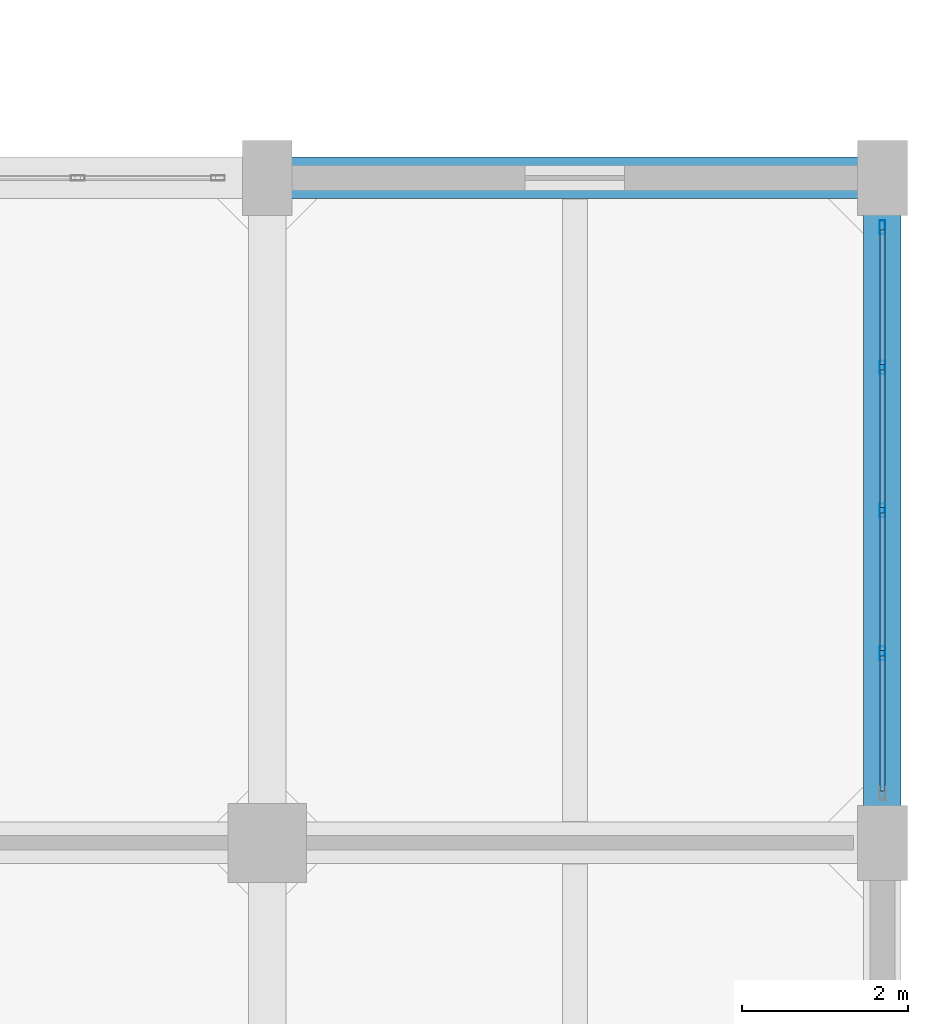
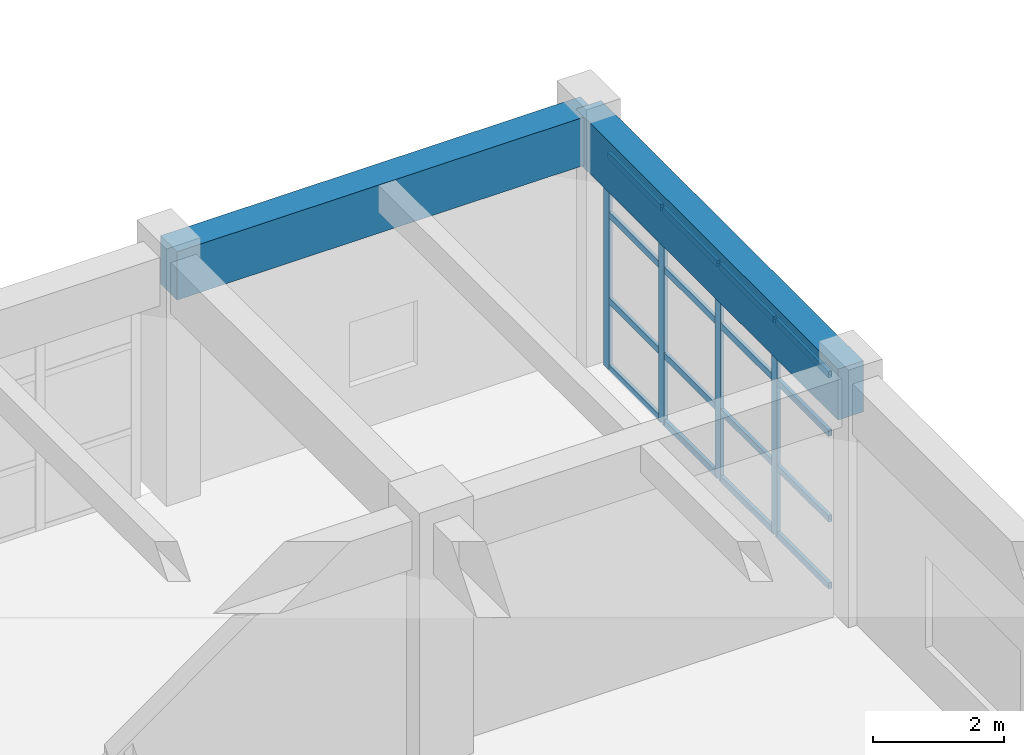
# One storey, part 197 of 248: 20 members, 2 beams, 1 element without a shape of its own.
"""IFC4 building model written with IfcOpenShell, lengths in metres."""

import ifcopenshell
import ifcopenshell.guid

model = None  # the IFC model being written
_history = None  # IfcOwnerHistory: only IFC2X3 demands one
_inside = {}  # id of a spatial element -> (the spatial element, [elements in it])
_under = {}  # id of a project, library or spatial element -> (it, [spatial elements below it])
_declared = {}  # id of a project -> (the project, [libraries it declares])
_typed = {}  # id of a type object -> (the type object, [elements of that type])
_made_of = {}  # id of a material, layer set ... -> (it, [elements and type objects made of it])


def new_model(schema):
    """Start an empty IFC model of exactly this schema.

    Asked for "IFC4X3", IfcOpenShell would pick the latest addendum, in which some entities
    have other attributes; the version numbers below select the first issue.
    IFC2X3 requires an IfcOwnerHistory on every rooted entity: one is made here for all.
    """
    global model, _history
    if schema == "IFC4X3":
        model = ifcopenshell.file(schema_version=(4, 3, 0, 0))
    else:
        model = ifcopenshell.file(schema=schema)
    _inside.clear()
    _under.clear()
    _declared.clear()
    _typed.clear()
    _made_of.clear()
    _history = None
    if model.schema == "IFC2X3":
        org = make("IfcOrganization", Name="unknown")
        user = make(
            "IfcPersonAndOrganization",
            ThePerson=make("IfcPerson", FamilyName="unknown"),
            TheOrganization=org,
        )
        app = make(
            "IfcApplication",
            ApplicationDeveloper=org,
            Version="unknown",
            ApplicationFullName="unknown",
            ApplicationIdentifier="unknown",
        )
        _history = make(
            "IfcOwnerHistory",
            OwningUser=user,
            OwningApplication=app,
            ChangeAction="ADDED",
            CreationDate=0,
        )
    return model


def make(cls, **values):
    """One entity of the class cls with the attributes given. An attribute that is None is left unset."""
    return model.create_entity(
        cls, **{name: value for name, value in values.items() if value is not None}
    )


def rooted(cls, **values):
    """An entity with a GlobalId (a new one), such as an element, a storey or a relation."""
    return make(cls, GlobalId=ifcopenshell.guid.new(), OwnerHistory=_history, **values)


def si_unit(unit_type, name, prefix=None):
    """IfcSIUnit, for example si_unit("LENGTHUNIT", "METRE", prefix="MILLI")."""
    return make("IfcSIUnit", UnitType=unit_type, Prefix=prefix, Name=name)


def assignment(units):
    """IfcUnitAssignment: the units of a project."""
    return None if units is None else make("IfcUnitAssignment", Units=units)


def point(xyz):
    """IfcCartesianPoint."""
    return None if xyz is None else make("IfcCartesianPoint", Coordinates=xyz)


def direction(xyz):
    """IfcDirection."""
    return None if xyz is None else make("IfcDirection", DirectionRatios=xyz)


def frame(location, z_axis=None, x_axis=None):
    """IfcAxis2Placement3D, a coordinate frame: its origin and axes. An axis left out is left unset."""
    return make(
        "IfcAxis2Placement3D",
        Location=point(location),
        Axis=direction(z_axis),
        RefDirection=direction(x_axis),
    )


def frame_2d(location, x_axis=None):
    """IfcAxis2Placement2D, a coordinate frame in the plane: its origin and x axis."""
    return make(
        "IfcAxis2Placement2D", Location=point(location), RefDirection=direction(x_axis)
    )


def origin():
    """The frame at (0, 0, 0) with its axes left unset."""
    return frame((0.0, 0.0, 0.0))


def origin_2d():
    """The frame at (0, 0) in the plane with its x axis left unset."""
    return frame_2d((0.0, 0.0))


def place(relative_to, where):
    """IfcLocalPlacement: puts the frame where relative to a parent placement (None: the world)."""
    return make(
        "IfcLocalPlacement", PlacementRelTo=relative_to, RelativePlacement=where
    )


def context(
    kind, dimensions, precision=None, world=None, true_north=None, identifier=None
):
    """IfcGeometricRepresentationContext, for example the 3D "Model" context."""
    return make(
        "IfcGeometricRepresentationContext",
        ContextIdentifier=identifier,
        ContextType=kind,
        CoordinateSpaceDimension=dimensions,
        Precision=precision,
        WorldCoordinateSystem=world,
        TrueNorth=true_north,
    )


def subcontext(parent, identifier, kind, view, scale=None):
    """IfcGeometricRepresentationSubContext, for example "Body" below "Model"."""
    return make(
        "IfcGeometricRepresentationSubContext",
        ContextIdentifier=identifier,
        ContextType=kind,
        ParentContext=parent,
        TargetScale=scale,
        TargetView=view,
    )


def project(units=None, contexts=None):
    """IfcProject with its units and contexts."""
    return rooted(
        "IfcProject",
        Name="project",
        RepresentationContexts=contexts,
        UnitsInContext=assignment(units),
    )


def spatial(cls, under=None, at=None, **own):
    """A site, building, storey or space (cls), placed at a placement, below another one or the project."""
    s = rooted(cls, ObjectPlacement=at, **own)
    if under is not None:
        _under.setdefault(under.id(), (under, []))[1].append(s)
    return s


def profile(cls, at=None, kind="AREA", **sizes):
    """A parametric profile (cls). Its sizes go by their IFC names, for example OverallWidth=200.0."""
    return make(cls, ProfileType=kind, Position=at, **sizes)


def rectangle(**sizes):
    """IfcRectangleProfileDef."""
    return profile("IfcRectangleProfileDef", **sizes)


def hollow_rectangle(**sizes):
    """IfcRectangleHollowProfileDef."""
    return profile("IfcRectangleHollowProfileDef", **sizes)


def extrude(swept, where, along, depth):
    """IfcExtrudedAreaSolid: the profile swept, set in the frame where, extruded along a direction by depth."""
    return make(
        "IfcExtrudedAreaSolid",
        SweptArea=swept,
        Position=where,
        ExtrudedDirection=direction(along),
        Depth=depth,
    )


def shape(context_of_items, identifier, shape_type, items):
    """IfcShapeRepresentation: the items that make up one representation, for example the "Body"."""
    return make(
        "IfcShapeRepresentation",
        ContextOfItems=context_of_items,
        RepresentationIdentifier=identifier,
        RepresentationType=shape_type,
        Items=items,
    )


def material(Name=None, Category=None):
    """IfcMaterial."""
    return make("IfcMaterial", Name=Name, Category=Category)


def layer(
    of_material, thickness, ventilated=None, Name=None, Category=None, Priority=None
):
    """IfcMaterialLayer: one layer of a wall or slab, of a material (None: an air gap)."""
    return make(
        "IfcMaterialLayer",
        Material=of_material,
        LayerThickness=thickness,
        IsVentilated=ventilated,
        Name=Name,
        Category=Category,
        Priority=Priority,
    )


def layer_set(layers, Name=None):
    """IfcMaterialLayerSet."""
    return make("IfcMaterialLayerSet", MaterialLayers=layers, LayerSetName=Name)


def material_profile(
    of_material, cross_section, Name=None, Category=None, Priority=None
):
    """IfcMaterialProfile: a cross section and its material."""
    return make(
        "IfcMaterialProfile",
        Name=Name,
        Material=of_material,
        Profile=cross_section,
        Priority=Priority,
        Category=Category,
    )


def profile_set(profiles, Name=None, composite=None):
    """IfcMaterialProfileSet."""
    return make(
        "IfcMaterialProfileSet",
        Name=Name,
        MaterialProfiles=profiles,
        CompositeProfile=composite,
    )


def made_of(thing, what):
    """Note that an element or type object is made of a material, layer set ...; save() writes the relation."""
    if what is not None:
        _made_of.setdefault(what.id(), (what, []))[1].append(thing)
    return thing


def type_object(cls, material=None, **own):
    """A type object (cls), such as IfcWallType, which elements share."""
    return made_of(rooted(cls, **own), material)


def element(
    cls,
    number,
    at=None,
    inside=None,
    cuts=None,
    type_object=None,
    material=None,
    context=None,
    identifier="Body",
    shape_type=None,
    held_by="IfcProductDefinitionShape",
    body=None,
    shapes=None,
    **own,
):
    """One element of the class cls, such as IfcWall. Its Tag is "e" and its number.

    at: its placement. inside: the storey or other place that contains it. cuts: it is an
    opening in that element (IfcRelVoidsElement). A single representation is given by context,
    identifier, shape_type and body (its items); several are given by shapes. held_by: the class
    of the entity that holds the representations. save() writes the other relations.
    """
    e = rooted(cls, Tag="e%d" % number, ObjectPlacement=at, **own)
    if body is not None:
        shapes = [shape(context, identifier, shape_type, body)]
    if shapes is not None:
        e.Representation = make(held_by, Representations=shapes)
    if inside is not None:
        _inside.setdefault(inside.id(), (inside, []))[1].append(e)
    if cuts is not None:
        rooted(
            "IfcRelVoidsElement", RelatingBuildingElement=cuts, RelatedOpeningElement=e
        )
    if type_object is not None:
        _typed.setdefault(type_object.id(), (type_object, []))[1].append(e)
    return made_of(e, material)


def aggregate(whole, parts):
    """IfcRelAggregates: a whole, such as a stair, and the parts it consists of."""
    return rooted("IfcRelAggregates", RelatingObject=whole, RelatedObjects=parts)


def save(model, path):
    """Write the relations noted so far, then the file.

    IfcRelAggregates (storeys below a building ...), IfcRelContainedInSpatialStructure (elements
    in a storey), IfcRelDefinesByType, IfcRelAssociatesMaterial and IfcRelDeclares: one each for
    every whole, place, type object, material and project.
    """
    for whole, parts in _under.values():
        aggregate(whole, parts)
    for where, things in _inside.values():
        rooted(
            "IfcRelContainedInSpatialStructure",
            RelatedElements=things,
            RelatingStructure=where,
        )
    for kind, things in _typed.values():
        rooted("IfcRelDefinesByType", RelatedObjects=things, RelatingType=kind)
    for what, things in _made_of.values():
        rooted("IfcRelAssociatesMaterial", RelatedObjects=things, RelatingMaterial=what)
    for by, libraries in _declared.values():
        rooted("IfcRelDeclares", RelatingContext=by, RelatedDefinitions=libraries)
    model.write(path)


model = new_model("IFC4")

# Units and contexts
model_context = context("Model", 3, precision=1e-05, world=origin(), true_north=direction((0.0, 1.0)))
body_context = subcontext(model_context, "Body", "Model", "MODEL_VIEW")
ifc_project = project(units=[si_unit("LENGTHUNIT", "METRE"), si_unit("AREAUNIT", "SQUARE_METRE"), si_unit("VOLUMEUNIT", "CUBIC_METRE"), si_unit("PLANEANGLEUNIT", "RADIAN"), si_unit("MASSUNIT", "GRAM", prefix="KILO")], contexts=[model_context])

# Site, building, storey
site_placement = place(None, origin())
site = spatial("IfcSite", under=ifc_project, at=site_placement, CompositionType="ELEMENT")
building_placement = place(site_placement, origin())
building = spatial("IfcBuilding", under=site, at=building_placement, Name="Canggui Botanical Conservatory", CompositionType="ELEMENT")
storey_placement = place(building_placement, frame((0.0, 0.0, 5.39990234375)))
storey = spatial("IfcBuildingStorey", under=building, at=storey_placement, Name="L02", CompositionType="ELEMENT", Elevation=5.39990234375)

# Beams
ifc_material_1 = material(Name="Concrete C35", Category="concrete")
ifc_material_profile_1 = material_profile(ifc_material_1, rectangle(XDim=0.5, YDim=0.89990234375, at=origin_2d()), Name="RB 500x900")
ifc_profile_set_1 = profile_set([ifc_material_profile_1], Name="Concrete C35")
beam_type_1 = type_object("IfcBeamType", Name="BM-KL03", PredefinedType="BEAM", material=ifc_profile_set_1)
beam_1_placement = place(storey_placement, frame((170.0, 82.0, 4.070068359375), z_axis=(1.0, 0.0, 0.0), x_axis=(0.0, 1.0, 0.0)))
element("IfcBeam", 1, at=beam_1_placement, inside=storey, type_object=beam_type_1, Name="Frame Girder L02 Y82-6", PredefinedType="BEAM", context=body_context, shape_type="SweptSolid", body=[
    extrude(rectangle(XDim=0.5, YDim=0.89990234375, at=origin_2d()), origin(), (0.0, 0.0, 1.0), 7.39990234375),
])
ifc_material_profile_2 = material_profile(ifc_material_1, rectangle(XDim=0.449951171875, YDim=0.949951171875, at=origin_2d()), Name="RB 450x950")
ifc_profile_set_2 = profile_set([ifc_material_profile_2], Name="Concrete C35")
beam_type_2 = type_object("IfcBeamType", Name="BM-KL04", PredefinedType="BEAM", material=ifc_profile_set_2)
beam_2_placement = place(storey_placement, frame((177.39990234375, 74.0, 4.045166015625), z_axis=(0.0, 1.0, 0.0), x_axis=(-1.0, 0.0, 0.0)))
element("IfcBeam", 2, at=beam_2_placement, inside=storey, type_object=beam_type_2, Name="Frame Girder L02 X178-7", PredefinedType="BEAM", context=body_context, shape_type="SweptSolid", body=[
    extrude(rectangle(XDim=0.449951171875, YDim=0.949951171875, at=origin_2d()), origin(), (0.0, 0.0, 1.0), 8.0),
])

# Curtain wall, members
ifc_material_2 = material(Name="Thermally Broken Aluminium", Category="aluminium")
ifc_layer = layer(ifc_material_2, 0.1650390625, Name="Thermally Broken Aluminium", Category="aluminium")
ifc_layer_set = layer_set([ifc_layer], Name="Thermally Broken Aluminium")
curtain_wall_type = type_object("IfcCurtainWallType", Name="CW-UNIT-B", PredefinedType="USERDEFINED", material=ifc_layer_set)
curtain_wall_placement = place(storey_placement, origin())
curtain_wall = element("IfcCurtainWall", 3, at=curtain_wall_placement, inside=storey, type_object=curtain_wall_type, Name="Facade Curtain Wall CW-TWR-L02-20", ObjectType="UNITISED CURTAIN WALL", PredefinedType="USERDEFINED")
ifc_material_profile_3 = material_profile(ifc_material_2, hollow_rectangle(XDim=0.06494140625, YDim=0.1650390625, WallThickness=0.00390625, at=origin_2d()), Name="CWM 65x165x4")
ifc_profile_set_3 = profile_set([ifc_material_profile_3], Name="Thermally Broken Aluminium")
member_type_1 = type_object("IfcMemberType", Name="CWM-02", PredefinedType="MULLION", material=ifc_profile_set_3)
member_1_placement = place(storey_placement, frame((177.39990234375, 81.407470703125, 0.0), z_axis=(0.0, 0.0, 1.0), x_axis=(1.0, 0.0, 0.0)))
member_1 = element("IfcMember", 4, at=member_1_placement, type_object=member_type_1, Name="CW-02 mullion 1", PredefinedType="MULLION", context=body_context, shape_type="SweptSolid", body=[
    extrude(hollow_rectangle(XDim=0.06494140625, YDim=0.1650390625, WallThickness=0.00390625, at=origin_2d()), origin(), (0.0, 0.0, 1.0), 4.0),
])
member_2_placement = place(storey_placement, frame((177.39990234375, 79.719970703125, 0.0), z_axis=(0.0, 0.0, 1.0), x_axis=(1.0, 0.0, 0.0)))
member_2 = element("IfcMember", 5, at=member_2_placement, type_object=member_type_1, Name="CW-02 mullion 2", PredefinedType="MULLION", context=body_context, shape_type="SweptSolid", body=[
    extrude(hollow_rectangle(XDim=0.06494140625, YDim=0.1650390625, WallThickness=0.00390625, at=origin_2d()), origin(), (0.0, 0.0, 1.0), 4.0),
])
member_3_placement = place(storey_placement, frame((177.39990234375, 78.0, 0.0), z_axis=(0.0, 0.0, 1.0), x_axis=(1.0, 0.0, 0.0)))
member_3 = element("IfcMember", 6, at=member_3_placement, type_object=member_type_1, Name="CW-02 mullion 3", PredefinedType="MULLION", context=body_context, shape_type="SweptSolid", body=[
    extrude(hollow_rectangle(XDim=0.06494140625, YDim=0.1650390625, WallThickness=0.00390625, at=origin_2d()), origin(), (0.0, 0.0, 1.0), 4.0),
])
member_4_placement = place(storey_placement, frame((177.39990234375, 76.280029296875, 0.0), z_axis=(0.0, 0.0, 1.0), x_axis=(1.0, 0.0, 0.0)))
member_4 = element("IfcMember", 7, at=member_4_placement, type_object=member_type_1, Name="CW-02 mullion 4", PredefinedType="MULLION", context=body_context, shape_type="SweptSolid", body=[
    extrude(hollow_rectangle(XDim=0.06494140625, YDim=0.1650390625, WallThickness=0.00390625, at=origin_2d()), origin(), (0.0, 0.0, 1.0), 4.0),
])
ifc_material_profile_4 = material_profile(ifc_material_2, hollow_rectangle(XDim=0.06005859375, YDim=0.1201171875, WallThickness=0.00341796875, at=origin_2d()), Name="CWT 60x120x3.5")
ifc_profile_set_4 = profile_set([ifc_material_profile_4], Name="Thermally Broken Aluminium")
member_type_2 = type_object("IfcMemberType", Name="CWT-02", PredefinedType="USERDEFINED", material=ifc_profile_set_4)
member_5_placement = place(storey_placement, frame((177.39990234375, 81.375, 0.030029296875), z_axis=(0.0, -1.0, 0.0), x_axis=(1.0, 0.0, 0.0)))
member_5 = element("IfcMember", 8, at=member_5_placement, type_object=member_type_2, Name="CW-02 transom 1.1", ObjectType="TRANSOM", PredefinedType="USERDEFINED", context=body_context, shape_type="SweptSolid", body=[
    extrude(hollow_rectangle(XDim=0.06005859375, YDim=0.1201171875, WallThickness=0.00341796875, at=origin_2d()), origin(), (0.0, 0.0, 1.0), 1.62255859375),
])
member_6_placement = place(storey_placement, frame((177.39990234375, 81.375, 1.280029296875), z_axis=(0.0, -1.0, 0.0), x_axis=(1.0, 0.0, 0.0)))
member_6 = element("IfcMember", 9, at=member_6_placement, type_object=member_type_2, Name="CW-02 transom 1.2", ObjectType="TRANSOM", PredefinedType="USERDEFINED", context=body_context, shape_type="SweptSolid", body=[
    extrude(hollow_rectangle(XDim=0.06005859375, YDim=0.1201171875, WallThickness=0.00341796875, at=origin_2d()), origin(), (0.0, 0.0, 1.0), 1.62255859375),
])
member_7_placement = place(storey_placement, frame((177.39990234375, 81.375, 2.880126953125), z_axis=(0.0, -1.0, 0.0), x_axis=(1.0, 0.0, 0.0)))
member_7 = element("IfcMember", 10, at=member_7_placement, type_object=member_type_2, Name="CW-02 transom 1.3", ObjectType="TRANSOM", PredefinedType="USERDEFINED", context=body_context, shape_type="SweptSolid", body=[
    extrude(hollow_rectangle(XDim=0.06005859375, YDim=0.1201171875, WallThickness=0.00341796875, at=origin_2d()), origin(), (0.0, 0.0, 1.0), 1.62255859375),
])
member_8_placement = place(storey_placement, frame((177.39990234375, 81.375, 3.97021484375), z_axis=(0.0, -1.0, 0.0), x_axis=(1.0, 0.0, 0.0)))
member_8 = element("IfcMember", 11, at=member_8_placement, type_object=member_type_2, Name="CW-02 transom 1.4", ObjectType="TRANSOM", PredefinedType="USERDEFINED", context=body_context, shape_type="SweptSolid", body=[
    extrude(hollow_rectangle(XDim=0.06005859375, YDim=0.1201171875, WallThickness=0.00341796875, at=origin_2d()), origin(), (0.0, 0.0, 1.0), 1.62255859375),
])
member_9_placement = place(storey_placement, frame((177.39990234375, 79.6875, 0.030029296875), z_axis=(0.0, -1.0, 0.0), x_axis=(1.0, 0.0, 0.0)))
member_9 = element("IfcMember", 12, at=member_9_placement, type_object=member_type_2, Name="CW-02 transom 2.1", ObjectType="TRANSOM", PredefinedType="USERDEFINED", context=body_context, shape_type="SweptSolid", body=[
    extrude(hollow_rectangle(XDim=0.06005859375, YDim=0.1201171875, WallThickness=0.00341796875, at=origin_2d()), origin(), (0.0, 0.0, 1.0), 1.655029296875),
])
member_10_placement = place(storey_placement, frame((177.39990234375, 79.6875, 1.280029296875), z_axis=(0.0, -1.0, 0.0), x_axis=(1.0, 0.0, 0.0)))
member_10 = element("IfcMember", 13, at=member_10_placement, type_object=member_type_2, Name="CW-02 transom 2.2", ObjectType="TRANSOM", PredefinedType="USERDEFINED", context=body_context, shape_type="SweptSolid", body=[
    extrude(hollow_rectangle(XDim=0.06005859375, YDim=0.1201171875, WallThickness=0.00341796875, at=origin_2d()), origin(), (0.0, 0.0, 1.0), 1.655029296875),
])
member_11_placement = place(storey_placement, frame((177.39990234375, 79.6875, 2.880126953125), z_axis=(0.0, -1.0, 0.0), x_axis=(1.0, 0.0, 0.0)))
member_11 = element("IfcMember", 14, at=member_11_placement, type_object=member_type_2, Name="CW-02 transom 2.3", ObjectType="TRANSOM", PredefinedType="USERDEFINED", context=body_context, shape_type="SweptSolid", body=[
    extrude(hollow_rectangle(XDim=0.06005859375, YDim=0.1201171875, WallThickness=0.00341796875, at=origin_2d()), origin(), (0.0, 0.0, 1.0), 1.655029296875),
])
member_12_placement = place(storey_placement, frame((177.39990234375, 79.6875, 3.97021484375), z_axis=(0.0, -1.0, 0.0), x_axis=(1.0, 0.0, 0.0)))
member_12 = element("IfcMember", 15, at=member_12_placement, type_object=member_type_2, Name="CW-02 transom 2.4", ObjectType="TRANSOM", PredefinedType="USERDEFINED", context=body_context, shape_type="SweptSolid", body=[
    extrude(hollow_rectangle(XDim=0.06005859375, YDim=0.1201171875, WallThickness=0.00341796875, at=origin_2d()), origin(), (0.0, 0.0, 1.0), 1.655029296875),
])
member_13_placement = place(storey_placement, frame((177.39990234375, 77.967529296875, 0.030029296875), z_axis=(0.0, -1.0, 0.0), x_axis=(1.0, 0.0, 0.0)))
member_13 = element("IfcMember", 16, at=member_13_placement, type_object=member_type_2, Name="CW-02 transom 3.1", ObjectType="TRANSOM", PredefinedType="USERDEFINED", context=body_context, shape_type="SweptSolid", body=[
    extrude(hollow_rectangle(XDim=0.06005859375, YDim=0.1201171875, WallThickness=0.00341796875, at=origin_2d()), origin(), (0.0, 0.0, 1.0), 1.655029296875),
])
member_14_placement = place(storey_placement, frame((177.39990234375, 77.967529296875, 1.280029296875), z_axis=(0.0, -1.0, 0.0), x_axis=(1.0, 0.0, 0.0)))
member_14 = element("IfcMember", 17, at=member_14_placement, type_object=member_type_2, Name="CW-02 transom 3.2", ObjectType="TRANSOM", PredefinedType="USERDEFINED", context=body_context, shape_type="SweptSolid", body=[
    extrude(hollow_rectangle(XDim=0.06005859375, YDim=0.1201171875, WallThickness=0.00341796875, at=origin_2d()), origin(), (0.0, 0.0, 1.0), 1.655029296875),
])
member_15_placement = place(storey_placement, frame((177.39990234375, 77.967529296875, 2.880126953125), z_axis=(0.0, -1.0, 0.0), x_axis=(1.0, 0.0, 0.0)))
member_15 = element("IfcMember", 18, at=member_15_placement, type_object=member_type_2, Name="CW-02 transom 3.3", ObjectType="TRANSOM", PredefinedType="USERDEFINED", context=body_context, shape_type="SweptSolid", body=[
    extrude(hollow_rectangle(XDim=0.06005859375, YDim=0.1201171875, WallThickness=0.00341796875, at=origin_2d()), origin(), (0.0, 0.0, 1.0), 1.655029296875),
])
member_16_placement = place(storey_placement, frame((177.39990234375, 77.967529296875, 3.97021484375), z_axis=(0.0, -1.0, 0.0), x_axis=(1.0, 0.0, 0.0)))
member_16 = element("IfcMember", 19, at=member_16_placement, type_object=member_type_2, Name="CW-02 transom 3.4", ObjectType="TRANSOM", PredefinedType="USERDEFINED", context=body_context, shape_type="SweptSolid", body=[
    extrude(hollow_rectangle(XDim=0.06005859375, YDim=0.1201171875, WallThickness=0.00341796875, at=origin_2d()), origin(), (0.0, 0.0, 1.0), 1.655029296875),
])
member_17_placement = place(storey_placement, frame((177.39990234375, 76.24755859375, 0.030029296875), z_axis=(0.0, -1.0, 0.0), x_axis=(1.0, 0.0, 0.0)))
member_17 = element("IfcMember", 20, at=member_17_placement, type_object=member_type_2, Name="CW-02 transom 4.1", ObjectType="TRANSOM", PredefinedType="USERDEFINED", context=body_context, shape_type="SweptSolid", body=[
    extrude(hollow_rectangle(XDim=0.06005859375, YDim=0.1201171875, WallThickness=0.00341796875, at=origin_2d()), origin(), (0.0, 0.0, 1.0), 1.62255859375),
])
member_18_placement = place(storey_placement, frame((177.39990234375, 76.24755859375, 1.280029296875), z_axis=(0.0, -1.0, 0.0), x_axis=(1.0, 0.0, 0.0)))
member_18 = element("IfcMember", 21, at=member_18_placement, type_object=member_type_2, Name="CW-02 transom 4.2", ObjectType="TRANSOM", PredefinedType="USERDEFINED", context=body_context, shape_type="SweptSolid", body=[
    extrude(hollow_rectangle(XDim=0.06005859375, YDim=0.1201171875, WallThickness=0.00341796875, at=origin_2d()), origin(), (0.0, 0.0, 1.0), 1.62255859375),
])
member_19_placement = place(storey_placement, frame((177.39990234375, 76.24755859375, 2.880126953125), z_axis=(0.0, -1.0, 0.0), x_axis=(1.0, 0.0, 0.0)))
member_19 = element("IfcMember", 22, at=member_19_placement, type_object=member_type_2, Name="CW-02 transom 4.3", ObjectType="TRANSOM", PredefinedType="USERDEFINED", context=body_context, shape_type="SweptSolid", body=[
    extrude(hollow_rectangle(XDim=0.06005859375, YDim=0.1201171875, WallThickness=0.00341796875, at=origin_2d()), origin(), (0.0, 0.0, 1.0), 1.62255859375),
])
member_20_placement = place(storey_placement, frame((177.39990234375, 76.24755859375, 3.97021484375), z_axis=(0.0, -1.0, 0.0), x_axis=(1.0, 0.0, 0.0)))
member_20 = element("IfcMember", 23, at=member_20_placement, type_object=member_type_2, Name="CW-02 transom 4.4", ObjectType="TRANSOM", PredefinedType="USERDEFINED", context=body_context, shape_type="SweptSolid", body=[
    extrude(hollow_rectangle(XDim=0.06005859375, YDim=0.1201171875, WallThickness=0.00341796875, at=origin_2d()), origin(), (0.0, 0.0, 1.0), 1.62255859375),
])
aggregate(curtain_wall, [member_1, member_2, member_3, member_4, member_5, member_6, member_7, member_8, member_9, member_10, member_11, member_12, member_13, member_14, member_15, member_16, member_17, member_18, member_19, member_20])

save(model, "model.ifc")
